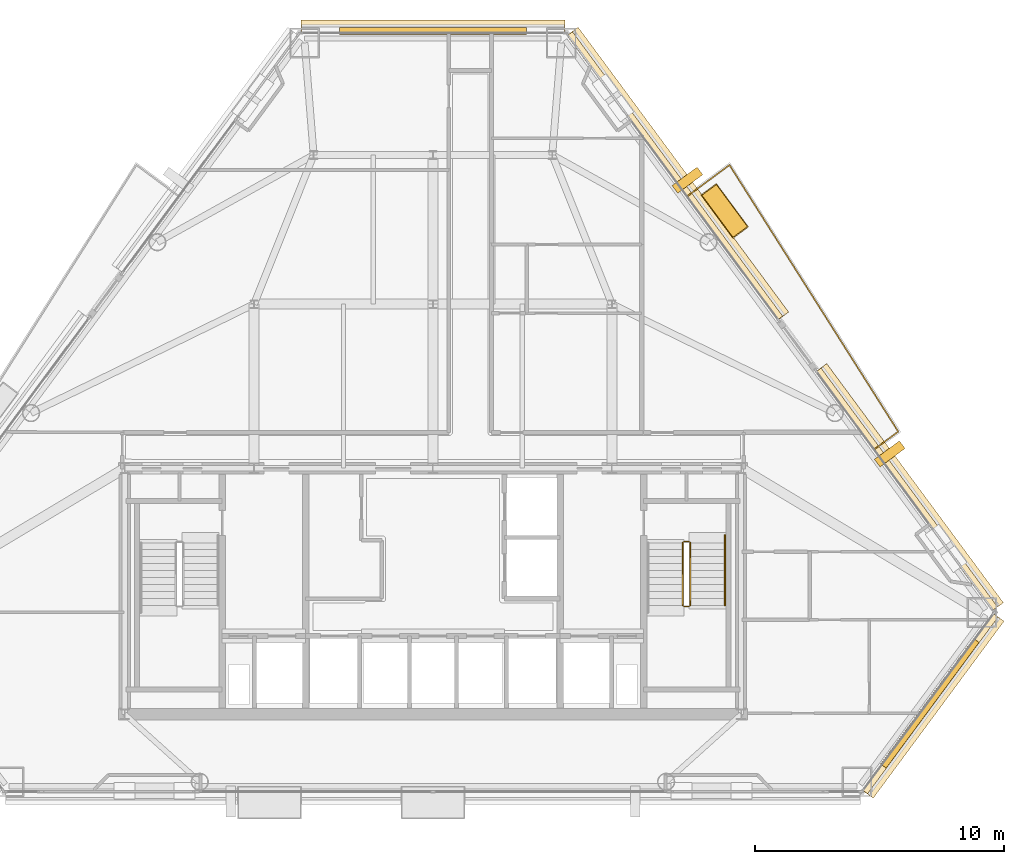
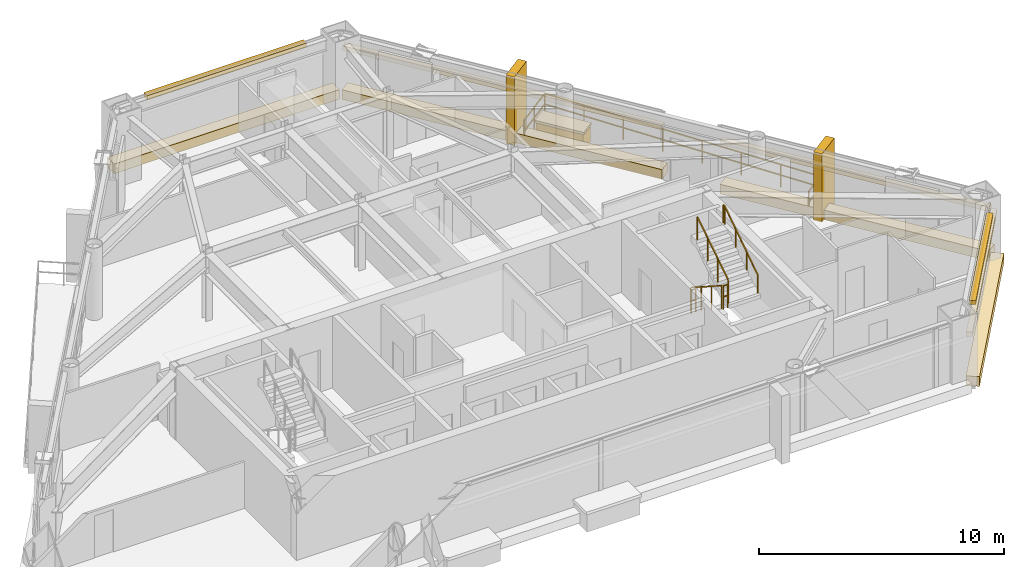
# One storey, part 11 of 11: 11 coverings, 6 railings, 2 shading devices.
"""IFC4 building model written with IfcOpenShell, lengths in metres."""

from ifc_helpers import new_model, si_unit, direction, frame, origin, origin_2d, place, context, subcontext, project, spatial, rectangle, extrude, source, transform, mapped, material, layer, layer_set, type_object, type_shapes, element, save


model = new_model("IFC4")

# Units and contexts
model_context = context("Model", 3, precision=1e-05, world=origin(), true_north=direction((0.0, 1.0)))
body_context = subcontext(model_context, "Body", "Model", "MODEL_VIEW")
ifc_project = project(units=[si_unit("LENGTHUNIT", "METRE"), si_unit("AREAUNIT", "SQUARE_METRE"), si_unit("VOLUMEUNIT", "CUBIC_METRE"), si_unit("PLANEANGLEUNIT", "RADIAN"), si_unit("MASSUNIT", "GRAM", prefix="KILO")], contexts=[model_context])

# Site, building, storey
site_placement = place(None, origin())
site = spatial("IfcSite", under=ifc_project, at=site_placement, CompositionType="ELEMENT")
building_placement = place(site_placement, origin())
building = spatial("IfcBuilding", under=site, at=building_placement, Name="Talgorran Terracotta Tower", CompositionType="ELEMENT")
storey_placement = place(building_placement, frame((0.0, 0.0, 136.5)))
storey = spatial("IfcBuildingStorey", under=building, at=storey_placement, Name="L35", CompositionType="ELEMENT", Elevation=136.5)

# Coverings
ifc_material_1 = material(Name="Kiln-Fired Terracotta Ochre Ceramic", Category="masonry")
ifc_layer_1 = layer(ifc_material_1, 0.179931640625, Name="COV_BAGUETTE_TERRACOTTA_SCREEN")
ifc_layer_set_1 = layer_set([ifc_layer_1], Name="Kiln-Fired Terracotta Ochre Ceramic")
covering_type_1 = type_object("IfcCoveringType", Name="COV_BAGUETTE_TERRACOTTA_SCREEN", PredefinedType="CLADDING", material=ifc_layer_set_1)
covering_1_placement = place(storey_placement, frame((20.006591796875, -13.6689453125, 2.41015625), z_axis=(0.0, 0.0, 1.0), x_axis=(0.594359699802, 0.804199320598, 0.0)))
element("IfcCovering", 1, at=covering_1_placement, inside=storey, type_object=covering_type_1, Name="L35 Terracotta Baguette Solar Screen Assembly F2", PredefinedType="CLADDING", context=body_context, shape_type="SweptSolid", body=[
    extrude(rectangle(XDim=8.836181640625, YDim=0.260009765625, at=origin_2d()), origin(), (0.0, 0.0, 1.0), 0.219970703125),
])
covering_2_placement = place(storey_placement, frame((19.060546875, -5.05126953125, 2.41015625), z_axis=(0.0, 0.0, 1.0), x_axis=(-0.594359699802, 0.804199320598, 0.0)))
element("IfcCovering", 2, at=covering_2_placement, inside=storey, type_object=covering_type_1, Name="L35 Terracotta Baguette Solar Screen Assembly F40", PredefinedType="CLADDING", context=body_context, shape_type="SweptSolid", body=[
    extrude(rectangle(XDim=11.939697265625, YDim=0.260009765625, at=origin_2d()), origin(), (0.0, 0.0, 1.0), 0.219970703125),
])
covering_3_placement = place(storey_placement, frame((9.738037109375, 7.5625, 2.41015625), z_axis=(0.0, 0.0, 1.0), x_axis=(-0.594359699802, 0.804199320598, 0.0)))
element("IfcCovering", 3, at=covering_3_placement, inside=storey, type_object=covering_type_1, Name="L35 Terracotta Baguette Solar Screen Assembly F41", PredefinedType="CLADDING", context=body_context, shape_type="SweptSolid", body=[
    extrude(rectangle(XDim=14.230224609375, YDim=0.260009765625, at=origin_2d()), origin(), (0.0, 0.0, 1.0), 0.219970703125),
])
ifc_material_2 = material(Name="Honed Limestone and Terracotta Planter", Category="masonry")
ifc_layer_2 = layer(ifc_material_2, 0.1201171875, Name="COV_PLANTER_BOX")
ifc_layer_set_2 = layer_set([ifc_layer_2], Name="Honed Limestone and Terracotta Planter")
covering_type_2 = type_object("IfcCoveringType", Name="COV_PLANTER_BOX", PredefinedType="CLADDING", material=ifc_layer_set_2)
covering_4_placement = place(storey_placement, frame((11.738037109375, 6.15185546875, -0.02001953125), z_axis=(0.0, 0.0, 1.0), x_axis=(-0.594359699802, 0.804199320598, 0.0)))
element("IfcCovering", 4, at=covering_4_placement, inside=storey, type_object=covering_type_2, Name="L35 Staggered Balcony Planter Box BAL-NE", PredefinedType="CLADDING", context=body_context, shape_type="SweptSolid", body=[
    extrude(rectangle(XDim=2.10009765625, YDim=0.719970703125, at=origin_2d()), origin(), (0.0, 0.0, 1.0), 0.860107421875),
])
ifc_material_3 = material(Name="Kiln-Fired Terracotta Planter Rim", Category="masonry")
ifc_layer_3 = layer(ifc_material_3, 0.10009765625, Name="COV_PLANTER_RIM")
ifc_layer_set_3 = layer_set([ifc_layer_3], Name="Kiln-Fired Terracotta Planter Rim")
covering_type_3 = type_object("IfcCoveringType", Name="COV_PLANTER_RIM", PredefinedType="CLADDING", material=ifc_layer_set_3)
covering_5_placement = place(storey_placement, frame((11.738037109375, 6.15185546875, 0.800048828125), z_axis=(0.0, 0.0, 1.0), x_axis=(-0.594359699802, 0.804199320598, 0.0)))
element("IfcCovering", 5, at=covering_5_placement, inside=storey, type_object=covering_type_3, Name="L35 Balcony Planter Terracotta Rim BAL-NE", PredefinedType="CLADDING", context=body_context, shape_type="SweptSolid", body=[
    extrude(rectangle(XDim=2.179931640625, YDim=0.780029296875, at=origin_2d()), origin(), (0.0, 0.0, 1.0), 0.1201171875),
])
ifc_material_4 = material(Name="Honed Limestone Cladding", Category="masonry")
ifc_layer_4 = layer(ifc_material_4, 0.094970703125, Name="COV_PORTAL_LIME")
ifc_layer_set_4 = layer_set([ifc_layer_4], Name="Honed Limestone Cladding")
covering_type_4 = type_object("IfcCoveringType", Name="COV_PORTAL_LIME", PredefinedType="CLADDING", material=ifc_layer_set_4)
covering_6_placement = place(storey_placement, frame((18.37841796875, -3.623779296875, -0.050048828125), z_axis=(0.0, 0.0, 1.0), x_axis=(-0.594359699802, 0.804199320598, 0.0)))
element("IfcCovering", 6, at=covering_6_placement, inside=storey, type_object=covering_type_4, Name="L35 White Striped Portal Fin F3-1", PredefinedType="CLADDING", context=body_context, shape_type="SweptSolid", body=[
    extrude(rectangle(XDim=0.3798828125, YDim=1.25, at=origin_2d()), origin(), (0.0, 0.0, 1.0), 3.39990234375),
])
ifc_material_5 = material(Name="Kiln-Fired Terracotta Cladding", Category="masonry")
ifc_layer_5 = layer(ifc_material_5, 0.090087890625, Name="COV_PORTAL_TERRA")
ifc_layer_set_5 = layer_set([ifc_layer_5], Name="Kiln-Fired Terracotta Cladding")
covering_type_5 = type_object("IfcCoveringType", Name="COV_PORTAL_TERRA", PredefinedType="CLADDING", material=ifc_layer_set_5)
covering_7_placement = place(storey_placement, frame((20.119140625, -13.752197265625, -0.0400390625), z_axis=(0.0, 0.0, 1.0), x_axis=(0.594359699802, 0.804199320598, 0.0)))
element("IfcCovering", 7, at=covering_7_placement, inside=storey, type_object=covering_type_5, Name="L35 Striped Postmodern Portal Cladding Band F2", PredefinedType="CLADDING", context=body_context, shape_type="SweptSolid", body=[
    extrude(rectangle(XDim=8.856201171875, YDim=0.56005859375, at=origin_2d()), origin(), (0.0, 0.0, 1.0), 0.47998046875),
])
covering_8_placement = place(storey_placement, frame((19.173095703125, -4.968017578125, -0.0400390625), z_axis=(0.0, 0.0, 1.0), x_axis=(-0.594359699802, 0.804199320598, 0.0)))
element("IfcCovering", 8, at=covering_8_placement, inside=storey, type_object=covering_type_5, Name="L35 Striped Postmodern Portal Cladding Band F40", PredefinedType="CLADDING", context=body_context, shape_type="SweptSolid", body=[
    extrude(rectangle(XDim=11.959716796875, YDim=0.56005859375, at=origin_2d()), origin(), (0.0, 0.0, 1.0), 0.47998046875),
])
covering_9_placement = place(storey_placement, frame((9.8505859375, 7.645751953125, -0.0400390625), z_axis=(0.0, 0.0, 1.0), x_axis=(-0.594359699802, 0.804199320598, 0.0)))
element("IfcCovering", 9, at=covering_9_placement, inside=storey, type_object=covering_type_5, Name="L35 Striped Postmodern Portal Cladding Band F41", PredefinedType="CLADDING", context=body_context, shape_type="SweptSolid", body=[
    extrude(rectangle(XDim=14.250244140625, YDim=0.56005859375, at=origin_2d()), origin(), (0.0, 0.0, 1.0), 0.47998046875),
])
covering_10_placement = place(storey_placement, frame((0.0, 13.553466796875, -0.0400390625), z_axis=(0.0, 0.0, 1.0), x_axis=(-1.0, 0.0, 0.0)))
element("IfcCovering", 10, at=covering_10_placement, inside=storey, type_object=covering_type_5, Name="L35 Striped Postmodern Portal Cladding Band F4", PredefinedType="CLADDING", context=body_context, shape_type="SweptSolid", body=[
    extrude(rectangle(XDim=10.606689453125, YDim=0.56005859375, at=origin_2d()), origin(), (0.0, 0.0, 1.0), 0.47998046875),
])
covering_11_placement = place(storey_placement, frame((10.238525390625, 7.389892578125, -0.050048828125), z_axis=(0.0, 0.0, 1.0), x_axis=(-0.594359699802, 0.804199320598, 0.0)))
element("IfcCovering", 11, at=covering_11_placement, inside=storey, type_object=covering_type_5, Name="L35 Terracotta Striped Portal Fin F3-2", PredefinedType="CLADDING", context=body_context, shape_type="SweptSolid", body=[
    extrude(rectangle(XDim=0.3798828125, YDim=1.25, at=origin_2d()), origin(), (0.0, 0.0, 1.0), 3.39990234375),
])

# Railings
ifc_material_6 = material(Name="Laminated Glass and Stainless Steel 316", Category="steel")
railing_type_1 = type_object("IfcRailingType", Name="RL_BALCONY_1150", PredefinedType="BALUSTRADE", material=ifc_material_6)
railing_1_placement = place(storey_placement, frame((17.765625, -3.433837890625, 0.0)))
element("IfcRailing", 12, at=railing_1_placement, inside=storey, type_object=railing_type_1, Name="RL-L35-BAL-BAL-NE", PredefinedType="BALUSTRADE", context=body_context, shape_type="SweptSolid", body=[
    extrude(rectangle(XDim=0.048095703125, YDim=0.048095703125, at=origin_2d()), frame((0.0, 0.0, 1.1259765625), z_axis=(0.804248787386, 0.59429276286, 0.0), x_axis=(-0.59429276286, 0.804248787386, 0.0)), (0.0, 0.0, 1.0), 1.187255859375),
    extrude(rectangle(XDim=0.048095703125, YDim=0.048095703125, at=origin_2d()), frame((0.0, 0.0, 0.597900390625), z_axis=(0.804248787386, 0.59429276286, 0.0), x_axis=(-0.59429276286, 0.804248787386, 0.0)), (0.0, 0.0, 1.0), 1.187255859375),
    extrude(rectangle(XDim=0.048095703125, YDim=0.048095703125, at=origin_2d()), frame((0.954833984375, 0.70556640625, 1.1259765625), z_axis=(-0.534811846429, 0.844971176383, 0.0), x_axis=(-0.844971176383, -0.534811846429, 0.0)), (0.0, 0.0, 1.0), 12.6943359375),
    extrude(rectangle(XDim=0.048095703125, YDim=0.048095703125, at=origin_2d()), frame((0.954833984375, 0.70556640625, 0.597900390625), z_axis=(-0.534811846429, 0.844971176383, 0.0), x_axis=(-0.844971176383, -0.534811846429, 0.0)), (0.0, 0.0, 1.0), 12.6943359375),
    extrude(rectangle(XDim=0.048095703125, YDim=0.048095703125, at=origin_2d()), frame((-5.834228515625, 11.431884765625, 1.1259765625), z_axis=(-0.804229220954, -0.59431924095, 0.0), x_axis=(0.59431924095, -0.804229220954, 0.0)), (0.0, 0.0, 1.0), 2.102783203125),
    extrude(rectangle(XDim=0.048095703125, YDim=0.048095703125, at=origin_2d()), frame((-5.834228515625, 11.431884765625, 0.597900390625), z_axis=(-0.804229220954, -0.59431924095, 0.0), x_axis=(0.59431924095, -0.804229220954, 0.0)), (0.0, 0.0, 1.0), 2.102783203125),
    extrude(rectangle(XDim=0.0419921875, YDim=0.0419921875, at=origin_2d()), origin(), (0.0, 0.0, 1.0), 1.101806640625),
    extrude(rectangle(XDim=0.0419921875, YDim=0.0419921875, at=origin_2d()), frame((0.954833984375, 0.70556640625, 0.0)), (0.0, 0.0, 1.0), 1.101806640625),
    extrude(rectangle(XDim=0.0419921875, YDim=0.0419921875, at=origin_2d()), frame((-0.01513671875, 2.23779296875, 0.0)), (0.0, 0.0, 1.0), 1.101806640625),
    extrude(rectangle(XDim=0.0419921875, YDim=0.0419921875, at=origin_2d()), frame((-0.98486328125, 3.770263671875, 0.0)), (0.0, 0.0, 1.0), 1.101806640625),
    extrude(rectangle(XDim=0.0419921875, YDim=0.0419921875, at=origin_2d()), frame((-1.954833984375, 5.302490234375, 0.0)), (0.0, 0.0, 1.0), 1.101806640625),
    extrude(rectangle(XDim=0.0419921875, YDim=0.0419921875, at=origin_2d()), frame((-2.924560546875, 6.8349609375, 0.0)), (0.0, 0.0, 1.0), 1.101806640625),
    extrude(rectangle(XDim=0.0419921875, YDim=0.0419921875, at=origin_2d()), frame((-3.89453125, 8.3671875, 0.0)), (0.0, 0.0, 1.0), 1.101806640625),
    extrude(rectangle(XDim=0.0419921875, YDim=0.0419921875, at=origin_2d()), frame((-4.8642578125, 9.899658203125, 0.0)), (0.0, 0.0, 1.0), 1.101806640625),
    extrude(rectangle(XDim=0.0419921875, YDim=0.0419921875, at=origin_2d()), frame((-5.834228515625, 11.431884765625, 0.0)), (0.0, 0.0, 1.0), 1.101806640625),
    extrude(rectangle(XDim=0.0419921875, YDim=0.0419921875, at=origin_2d()), frame((-6.6796875, 10.80712890625, 0.0)), (0.0, 0.0, 1.0), 1.101806640625),
    extrude(rectangle(XDim=0.0419921875, YDim=0.0419921875, at=origin_2d()), frame((-7.525390625, 10.18212890625, 0.0)), (0.0, 0.0, 1.0), 1.101806640625),
])
ifc_material_7 = material(Name="Steel S355 (300PLUS)", Category="steel")
railing_type_2 = type_object("IfcRailingType", Name="RL_HANDRAIL_920", PredefinedType="HANDRAIL", material=ifc_material_7)
railing_2_placement = place(storey_placement, frame((11.75, -9.719970703125, 1.97998046875)))
element("IfcRailing", 13, at=railing_2_placement, inside=storey, type_object=railing_type_2, Name="L35 ST-02 stair handrail 2", PredefinedType="HANDRAIL", context=body_context, shape_type="SweptSolid", body=[
    extrude(rectangle(XDim=0.048095703125, YDim=0.048095703125, at=origin_2d()), frame((0.0, 0.0, 0.89599609375), z_axis=(0.0, 0.832038719335, 0.554717558338), x_axis=(-1.0, 0.0, 0.0)), (0.0, 0.0, 1.0), 3.244873046875),
    extrude(rectangle(XDim=0.048095703125, YDim=0.048095703125, at=origin_2d()), frame((0.0, 2.699951171875, 2.69580078125), z_axis=(0.0, 1.0, 0.0), x_axis=(-1.0, 0.0, 0.0)), (0.0, 0.0, 1.0), 0.1201171875),
    extrude(rectangle(XDim=0.0419921875, YDim=0.0419921875, at=origin_2d()), origin(), (0.0, 0.0, 1.0), 0.871826171875),
    extrude(rectangle(XDim=0.0419921875, YDim=0.0419921875, at=origin_2d()), frame((0.0, 0.89990234375, 0.60009765625)), (0.0, 0.0, 1.0), 0.871826171875),
    extrude(rectangle(XDim=0.0419921875, YDim=0.0419921875, at=origin_2d()), frame((0.0, 1.800048828125, 1.199951171875)), (0.0, 0.0, 1.0), 0.871826171875),
    extrude(rectangle(XDim=0.0419921875, YDim=0.0419921875, at=origin_2d()), frame((0.0, 2.699951171875, 1.800048828125)), (0.0, 0.0, 1.0), 0.871826171875),
    extrude(rectangle(XDim=0.0419921875, YDim=0.0419921875, at=origin_2d()), frame((0.0, 2.820068359375, 1.800048828125)), (0.0, 0.0, 1.0), 0.871826171875),
])
railing_type_3 = type_object("IfcRailingType", Name="RL_STAIR_GUARD", PredefinedType="GUARDRAIL", material=ifc_material_7)
railing_3_placement = place(storey_placement, frame((10.050048828125, -7.199951171875, 0.179931640625)))
element("IfcRailing", 14, at=railing_3_placement, inside=storey, type_object=railing_type_3, Name="L35 ST-02 stair guard 1", PredefinedType="GUARDRAIL", context=body_context, shape_type="SweptSolid", body=[
    extrude(rectangle(XDim=0.048095703125, YDim=0.048095703125, at=origin_2d()), frame((0.0, 0.0, 1.15576171875), z_axis=(0.0, -0.841162588446, 0.540782303519), x_axis=(1.0, 0.0, 0.0)), (0.0, 0.0, 1.0), 2.995849609375),
    extrude(rectangle(XDim=0.0419921875, YDim=0.0419921875, at=origin_2d()), origin(), (0.0, 0.0, 1.0), 1.1318359375),
    extrude(rectangle(XDim=0.0419921875, YDim=0.0419921875, at=origin_2d()), frame((0.0, -0.840087890625, 0.5400390625)), (0.0, 0.0, 1.0), 1.1318359375),
    extrude(rectangle(XDim=0.0419921875, YDim=0.0419921875, at=origin_2d()), frame((0.0, -1.679931640625, 1.080078125)), (0.0, 0.0, 1.0), 1.1318359375),
    extrude(rectangle(XDim=0.0419921875, YDim=0.0419921875, at=origin_2d()), frame((0.0, -2.52001953125, 1.6201171875)), (0.0, 0.0, 1.0), 1.1318359375),
])
railing_4_placement = place(storey_placement, frame((10.10009765625, -9.77001953125, 1.800048828125)))
element("IfcRailing", 15, at=railing_4_placement, inside=storey, type_object=railing_type_3, Name="L35 ST-02 stair guard 2", PredefinedType="GUARDRAIL", context=body_context, shape_type="SweptSolid", body=[
    extrude(rectangle(XDim=0.048095703125, YDim=0.048095703125, at=origin_2d()), frame((0.0, 0.0, 1.15576171875), z_axis=(1.0, 0.0, 0.0), x_axis=(0.0, 1.0, 0.0)), (0.0, 0.0, 1.0), 0.199951171875),
    extrude(rectangle(XDim=0.048095703125, YDim=0.048095703125, at=origin_2d()), frame((0.0, 0.0, 0.613525390625), z_axis=(1.0, 0.0, 0.0), x_axis=(0.0, 1.0, 0.0)), (0.0, 0.0, 1.0), 0.199951171875),
    extrude(rectangle(XDim=0.0419921875, YDim=0.0419921875, at=origin_2d()), origin(), (0.0, 0.0, 1.0), 1.1318359375),
    extrude(rectangle(XDim=0.0419921875, YDim=0.0419921875, at=origin_2d()), frame((0.199951171875, 0.0, 0.0)), (0.0, 0.0, 1.0), 1.1318359375),
])
railing_5_placement = place(storey_placement, frame((10.35009765625, -9.719970703125, 1.97998046875)))
element("IfcRailing", 16, at=railing_5_placement, inside=storey, type_object=railing_type_3, Name="L35 ST-02 stair guard 3", PredefinedType="GUARDRAIL", context=body_context, shape_type="SweptSolid", body=[
    extrude(rectangle(XDim=0.048095703125, YDim=0.048095703125, at=origin_2d()), frame((0.0, 0.0, 1.15576171875), z_axis=(0.0, 0.841162588446, 0.540782303519), x_axis=(-1.0, 0.0, 0.0)), (0.0, 0.0, 1.0), 2.995849609375),
    extrude(rectangle(XDim=0.0419921875, YDim=0.0419921875, at=origin_2d()), origin(), (0.0, 0.0, 1.0), 1.1318359375),
    extrude(rectangle(XDim=0.0419921875, YDim=0.0419921875, at=origin_2d()), frame((0.0, 0.840087890625, 0.5400390625)), (0.0, 0.0, 1.0), 1.1318359375),
    extrude(rectangle(XDim=0.0419921875, YDim=0.0419921875, at=origin_2d()), frame((0.0, 1.679931640625, 1.080078125)), (0.0, 0.0, 1.0), 1.1318359375),
    extrude(rectangle(XDim=0.0419921875, YDim=0.0419921875, at=origin_2d()), frame((0.0, 2.52001953125, 1.6201171875)), (0.0, 0.0, 1.0), 1.1318359375),
])
railing_6_placement = place(storey_placement, frame((10.10009765625, -7.14990234375, 0.0)))
element("IfcRailing", 17, at=railing_6_placement, inside=storey, type_object=railing_type_3, Name="L35 ST-02 stair guard 4", PredefinedType="GUARDRAIL", context=body_context, shape_type="SweptSolid", body=[
    extrude(rectangle(XDim=0.048095703125, YDim=0.048095703125, at=origin_2d()), frame((0.0, 0.0, 1.15576171875), z_axis=(1.0, 0.0, 0.0), x_axis=(0.0, 1.0, 0.0)), (0.0, 0.0, 1.0), 0.199951171875),
    extrude(rectangle(XDim=0.048095703125, YDim=0.048095703125, at=origin_2d()), frame((0.0, 0.0, 0.613525390625), z_axis=(1.0, 0.0, 0.0), x_axis=(0.0, 1.0, 0.0)), (0.0, 0.0, 1.0), 0.199951171875),
    extrude(rectangle(XDim=0.0419921875, YDim=0.0419921875, at=origin_2d()), origin(), (0.0, 0.0, 1.0), 1.1318359375),
    extrude(rectangle(XDim=0.0419921875, YDim=0.0419921875, at=origin_2d()), frame((0.199951171875, 0.0, 0.0)), (0.0, 0.0, 1.0), 1.1318359375),
])

# Shading devices
ifc_material_8 = material(Name="Kiln-Fired Terracotta", Category="masonry")
ifc_layer_6 = layer(ifc_material_8, 0.280029296875, Name="SHD_SUNSHADE_TERRA")
ifc_layer_set_6 = layer_set([ifc_layer_6], Name="Kiln-Fired Terracotta")
shading_device_type = type_object("IfcShadingDeviceType", Name="SHD_SUNSHADE_TERRA", PredefinedType="AWNING", material=ifc_layer_set_6)
shared_shape_1 = source(origin(), body_context, "Body", "SweptSolid", [
    extrude(rectangle(XDim=6.283447265625, YDim=0.280029296875, at=origin_2d()), origin(), (0.0, 0.0, 1.0), 0.199951171875),
])
shading_device_1_placement = place(storey_placement, frame((19.990478515625, -13.656982421875, 3.10986328125), z_axis=(0.0, 0.0, 1.0), x_axis=(0.594359699802, 0.804199320598, 0.0)))
element("IfcShadingDevice", 18, at=shading_device_1_placement, inside=storey, type_object=shading_device_type, Name="SHD-BROW-L35-F2", PredefinedType="AWNING", context=body_context, shape_type="MappedRepresentation", body=[
    mapped(shared_shape_1, transform((0.0, 0.0, 0.0), scale=1.0)),
])
shared_shape_2 = source(origin(), body_context, "Body", "SweptSolid", [
    extrude(rectangle(XDim=7.508544921875, YDim=0.280029296875, at=origin_2d()), origin(), (0.0, 0.0, 1.0), 0.199951171875),
])
type_shapes(shading_device_type, [shared_shape_1, shared_shape_2])
shading_device_2_placement = place(storey_placement, frame((0.0, 13.3935546875, 3.10986328125), z_axis=(0.0, 0.0, 1.0), x_axis=(-1.0, 0.0, 0.0)))
element("IfcShadingDevice", 19, at=shading_device_2_placement, inside=storey, type_object=shading_device_type, Name="SHD-BROW-L35-F4", PredefinedType="AWNING", context=body_context, shape_type="MappedRepresentation", body=[
    mapped(shared_shape_2, transform((0.0, 0.0, 0.0), scale=1.0)),
])

save(model, "model.ifc")
